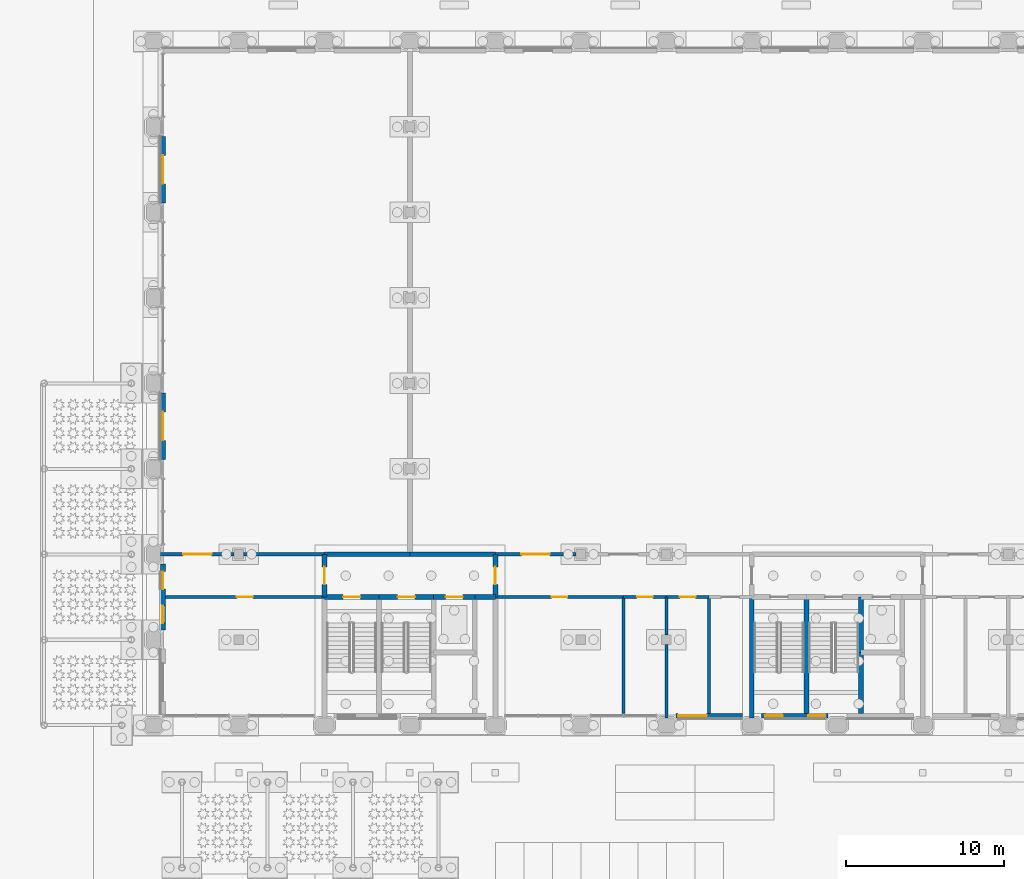
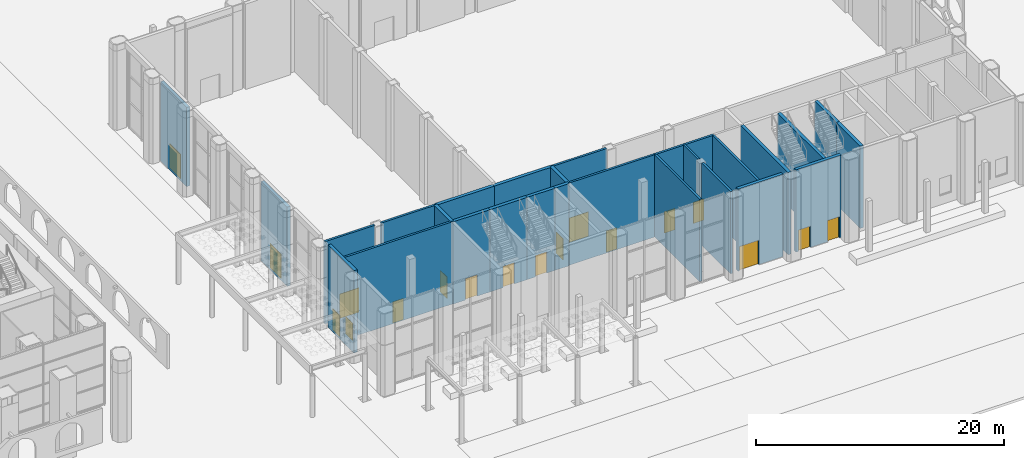
# One storey, part 33 of 54: 28 walls, 17 doors, 1 window, 18 openings.
"""IFC4 building model written with IfcOpenShell, lengths in metres."""

from ifc_helpers import new_model, si_unit, direction, frame, frame_2d, origin, place, context, subcontext, project, spatial, rectangle, extrude, material, layer, layer_set, type_object, element, fill, save


model = new_model("IFC4")

# Units and contexts
model_context = context("Model", 3, precision=1e-05, world=origin(), true_north=direction((0.0, 1.0)))
body_context = subcontext(model_context, "Body", "Model", "MODEL_VIEW")
ifc_project = project(units=[si_unit("LENGTHUNIT", "METRE"), si_unit("AREAUNIT", "SQUARE_METRE"), si_unit("VOLUMEUNIT", "CUBIC_METRE"), si_unit("PLANEANGLEUNIT", "RADIAN"), si_unit("MASSUNIT", "GRAM", prefix="KILO")], contexts=[model_context])

# Site, building, storey
site_placement = place(None, origin())
site = spatial("IfcSite", under=ifc_project, at=site_placement, CompositionType="ELEMENT")
building_placement = place(site_placement, origin())
building = spatial("IfcBuilding", under=site, at=building_placement, Name="Tabaq Tower and Sports Hall", CompositionType="ELEMENT")
storey_placement = place(building_placement, origin())
storey = spatial("IfcBuildingStorey", under=building, at=storey_placement, Name="L00", CompositionType="ELEMENT", Elevation=0.0)

# Wall, opening, door
ifc_material_1 = material(Name="Concrete C50/60", Category="concrete")
ifc_layer_1 = layer(ifc_material_1, 0.300048828125)
ifc_layer_set_1 = layer_set([ifc_layer_1], Name="HALL CORE WALL RC 300 C50/60")
wall_type_1 = type_object("IfcWallType", Name="HALL CORE WALL RC 300 C50/60", PredefinedType="SHEAR", material=ifc_layer_set_1)
wall_1_placement = place(storey_placement, frame((75.60009765625, 8.10009765625, 0.0), z_axis=(0.0, 0.0, 1.0), x_axis=(0.0, 1.0, 0.0)))
wall_1 = element("IfcWall", 1, at=wall_1_placement, inside=storey, type_object=wall_type_1, Name="L00 core wall 005", PredefinedType="SHEAR", context=body_context, shape_type="SweptSolid", body=[
    extrude(rectangle(XDim=2.699951171875, YDim=0.300048828125, at=frame_2d((1.35009765625, 0.0))), origin(), (0.0, 0.0, 1.0), 8.10009765625),
])
opening_1_placement = place(wall_1_placement, frame((0.800048828125, 0.0, 0.0)))
opening_1 = element("IfcOpeningElement", 2, at=opening_1_placement, cuts=wall_1, Name="Opening HD018", PredefinedType="OPENING", context=body_context, shape_type="SweptSolid", body=[
    extrude(rectangle(XDim=1.10009765625, YDim=2.10009765625, at=frame_2d((0.550048828125, 1.050048828125))), frame((0.0, 0.14990234375, 0.0), z_axis=(0.0, -1.0, 0.0), x_axis=(1.0, 0.0, 0.0)), (0.0, 0.0, 1.0), 0.300048828125),
])
ifc_material_2 = material(Name="Steel fire door leaf in steel frame", Category="steel")
door_type_1 = type_object("IfcDoorType", Name="HALL FIRE DOOR 1100x2100", OperationType="SINGLE_SWING_LEFT", PredefinedType="DOOR", material=ifc_material_2)
door_1_placement = place(opening_1_placement, origin())
door_1 = element("IfcDoor", 3, at=door_1_placement, inside=storey, type_object=door_type_1, Name="Door HD018", OperationType="SINGLE_SWING_LEFT", OverallHeight=2.10009765625, OverallWidth=1.10009765625, PredefinedType="DOOR", context=body_context, shape_type="SweptSolid", body=[
    extrude(rectangle(XDim=1.10009765625, YDim=2.10009765625, at=frame_2d((0.550048828125, 1.050048828125))), frame((0.0, 0.02490234375, 0.0), z_axis=(0.0, -1.0, 0.0), x_axis=(1.0, 0.0, 0.0)), (0.0, 0.0, 1.0), 0.050048828125),
])
fill(opening_1, door_1)

# Wall
wall_2_placement = place(storey_placement, frame((102.60009765625, 0.449951171875, 0.0), z_axis=(0.0, 0.0, 1.0), x_axis=(0.0, 1.0, 0.0)))
element("IfcWall", 4, at=wall_2_placement, inside=storey, type_object=wall_type_1, Name="L00 core wall 015", PredefinedType="SHEAR", context=body_context, shape_type="SweptSolid", body=[
    extrude(rectangle(XDim=7.650146484375, YDim=0.300048828125, at=frame_2d((3.8251953125, 0.0))), origin(), (0.0, 0.0, 1.0), 8.10009765625),
])

# Wall, opening, door
wall_3_placement = place(storey_placement, frame((86.39990234375, 8.10009765625, 0.0), z_axis=(0.0, 0.0, 1.0), x_axis=(0.0, 1.0, 0.0)))
wall_3 = element("IfcWall", 5, at=wall_3_placement, inside=storey, type_object=wall_type_1, Name="L00 core wall 019", PredefinedType="SHEAR", context=body_context, shape_type="SweptSolid", body=[
    extrude(rectangle(XDim=2.699951171875, YDim=0.300048828125, at=frame_2d((1.35009765625, 0.0))), origin(), (0.0, 0.0, 1.0), 8.10009765625),
])
opening_2_placement = place(wall_3_placement, frame((0.800048828125, 0.0, 0.0)))
opening_2 = element("IfcOpeningElement", 6, at=opening_2_placement, cuts=wall_3, Name="Opening HD024", PredefinedType="OPENING", context=body_context, shape_type="SweptSolid", body=[
    extrude(rectangle(XDim=1.10009765625, YDim=2.10009765625, at=frame_2d((0.550048828125, 1.050048828125))), frame((0.0, 0.14990234375, 0.0), z_axis=(0.0, -1.0, 0.0), x_axis=(1.0, 0.0, 0.0)), (0.0, 0.0, 1.0), 0.300048828125),
])
door_2_placement = place(opening_2_placement, origin())
door_2 = element("IfcDoor", 7, at=door_2_placement, inside=storey, type_object=door_type_1, Name="Door HD024", OperationType="SINGLE_SWING_LEFT", OverallHeight=2.10009765625, OverallWidth=1.10009765625, PredefinedType="DOOR", context=body_context, shape_type="SweptSolid", body=[
    extrude(rectangle(XDim=1.10009765625, YDim=2.10009765625, at=frame_2d((0.550048828125, 1.050048828125))), frame((0.0, 0.02490234375, 0.0), z_axis=(0.0, -1.0, 0.0), x_axis=(1.0, 0.0, 0.0)), (0.0, 0.0, 1.0), 0.050048828125),
])
fill(opening_2, door_2)

# Walls
for number, where, z_axis, x_axis, name in (
    (8, (81.0, 10.800048828125, 0.0), (0.0, 0.0, 1.0), (1.0, 0.0, 0.0), "L00 core wall 034"),
    (9, (75.60009765625, 10.800048828125, 0.0), (0.0, 0.0, 1.0), (1.0, 0.0, 0.0), "L00 core wall 036"),
):
    element("IfcWall", number, at=place(storey_placement, frame(where, z_axis=z_axis, x_axis=x_axis)), inside=storey, type_object=wall_type_1, Name=name, PredefinedType="SHEAR", context=body_context, shape_type="SweptSolid", body=[
        extrude(rectangle(XDim=5.39990234375, YDim=0.300048828125, at=frame_2d((2.699951171875, 0.0))), origin(), (0.0, 0.0, 1.0), 8.10009765625),
    ])

# Wall, opening, door
wall_4_placement = place(storey_placement, frame((75.60009765625, 8.10009765625, 0.0), z_axis=(0.0, 0.0, 1.0), x_axis=(1.0, 0.0, 0.0)))
wall_4 = element("IfcWall", 10, at=wall_4_placement, inside=storey, type_object=wall_type_1, Name="L00 core wall 038", PredefinedType="SHEAR", context=body_context, shape_type="SweptSolid", body=[
    extrude(rectangle(XDim=3.449951171875, YDim=0.300048828125, at=frame_2d((1.72509765625, 0.0))), origin(), (0.0, 0.0, 1.0), 8.10009765625),
])
opening_3_placement = place(wall_4_placement, frame((1.175048828125, 0.0, 0.0)))
opening_3 = element("IfcOpeningElement", 11, at=opening_3_placement, cuts=wall_4, Name="Opening HD034", PredefinedType="OPENING", context=body_context, shape_type="SweptSolid", body=[
    extrude(rectangle(XDim=1.10009765625, YDim=2.10009765625, at=frame_2d((0.550048828125, 1.050048828125))), frame((0.0, 0.14990234375, 0.0), z_axis=(0.0, -1.0, 0.0), x_axis=(1.0, 0.0, 0.0)), (0.0, 0.0, 1.0), 0.300048828125),
])
door_3_placement = place(opening_3_placement, origin())
door_3 = element("IfcDoor", 12, at=door_3_placement, inside=storey, type_object=door_type_1, Name="Door HD034", OperationType="SINGLE_SWING_LEFT", OverallHeight=2.10009765625, OverallWidth=1.10009765625, PredefinedType="DOOR", context=body_context, shape_type="SweptSolid", body=[
    extrude(rectangle(XDim=1.10009765625, YDim=2.10009765625, at=frame_2d((0.550048828125, 1.050048828125))), frame((0.0, 0.02490234375, 0.0), z_axis=(0.0, -1.0, 0.0), x_axis=(1.0, 0.0, 0.0)), (0.0, 0.0, 1.0), 0.050048828125),
])
fill(opening_3, door_3)

wall_5_placement = place(storey_placement, frame((79.050048828125, 8.10009765625, 0.0), z_axis=(0.0, 0.0, 1.0), x_axis=(1.0, 0.0, 0.0)))
wall_5 = element("IfcWall", 13, at=wall_5_placement, inside=storey, type_object=wall_type_1, Name="L00 core wall 041", PredefinedType="SHEAR", context=body_context, shape_type="SweptSolid", body=[
    extrude(rectangle(XDim=3.449951171875, YDim=0.300048828125, at=frame_2d((1.72509765625, 0.0))), origin(), (0.0, 0.0, 1.0), 8.10009765625),
])
opening_4_placement = place(wall_5_placement, frame((1.175048828125, 0.0, 0.0)))
opening_4 = element("IfcOpeningElement", 14, at=opening_4_placement, cuts=wall_5, Name="Opening HD035", PredefinedType="OPENING", context=body_context, shape_type="SweptSolid", body=[
    extrude(rectangle(XDim=1.10009765625, YDim=2.10009765625, at=frame_2d((0.550048828125, 1.050048828125))), frame((0.0, 0.14990234375, 0.0), z_axis=(0.0, -1.0, 0.0), x_axis=(1.0, 0.0, 0.0)), (0.0, 0.0, 1.0), 0.300048828125),
])
door_4_placement = place(opening_4_placement, origin())
door_4 = element("IfcDoor", 15, at=door_4_placement, inside=storey, type_object=door_type_1, Name="Door HD035", OperationType="SINGLE_SWING_LEFT", OverallHeight=2.10009765625, OverallWidth=1.10009765625, PredefinedType="DOOR", context=body_context, shape_type="SweptSolid", body=[
    extrude(rectangle(XDim=1.10009765625, YDim=2.10009765625, at=frame_2d((0.550048828125, 1.050048828125))), frame((0.0, 0.02490234375, 0.0), z_axis=(0.0, -1.0, 0.0), x_axis=(1.0, 0.0, 0.0)), (0.0, 0.0, 1.0), 0.050048828125),
])
fill(opening_4, door_4)

wall_6_placement = place(storey_placement, frame((82.5, 8.10009765625, 0.0), z_axis=(0.0, 0.0, 1.0), x_axis=(1.0, 0.0, 0.0)))
wall_6 = element("IfcWall", 16, at=wall_6_placement, inside=storey, type_object=wall_type_1, Name="L00 core wall 044", PredefinedType="SHEAR", context=body_context, shape_type="SweptSolid", body=[
    extrude(rectangle(XDim=2.60009765625, YDim=0.300048828125, at=frame_2d((1.300048828125, 0.0))), origin(), (0.0, 0.0, 1.0), 8.10009765625),
])
opening_5_placement = place(wall_6_placement, frame((0.75, 0.0, 0.0)))
opening_5 = element("IfcOpeningElement", 17, at=opening_5_placement, cuts=wall_6, Name="Opening LDA-L00", PredefinedType="OPENING", context=body_context, shape_type="SweptSolid", body=[
    extrude(rectangle(XDim=1.10009765625, YDim=2.10009765625, at=frame_2d((0.550048828125, 1.050048828125))), frame((0.0, 0.14990234375, 0.0), z_axis=(0.0, -1.0, 0.0), x_axis=(1.0, 0.0, 0.0)), (0.0, 0.0, 1.0), 0.300048828125),
])
ifc_material_3 = material(Name="Stainless steel landing door panels", Category="steel")
door_type_2 = type_object("IfcDoorType", Name="HALL LIFT LANDING DOOR 1100x2100", OperationType="SLIDING_TO_LEFT", PredefinedType="DOOR", material=ifc_material_3)
door_5_placement = place(opening_5_placement, origin())
door_5 = element("IfcDoor", 18, at=door_5_placement, inside=storey, type_object=door_type_2, Name="Door LDA-L00", OperationType="SLIDING_TO_LEFT", OverallHeight=2.10009765625, OverallWidth=1.10009765625, PredefinedType="DOOR", context=body_context, shape_type="SweptSolid", body=[
    extrude(rectangle(XDim=1.10009765625, YDim=2.10009765625, at=frame_2d((0.550048828125, 1.050048828125))), frame((0.0, 0.02490234375, 0.0), z_axis=(0.0, -1.0, 0.0), x_axis=(1.0, 0.0, 0.0)), (0.0, 0.0, 1.0), 0.050048828125),
])
fill(opening_5, door_5)

# Walls
wall_7_placement = place(storey_placement, frame((85.10009765625, 8.10009765625, 0.0), z_axis=(0.0, 0.0, 1.0), x_axis=(1.0, 0.0, 0.0)))
element("IfcWall", 19, at=wall_7_placement, inside=storey, type_object=wall_type_1, Name="L00 core wall 046", PredefinedType="SHEAR", context=body_context, shape_type="SweptSolid", body=[
    extrude(rectangle(XDim=1.2998046875, YDim=0.300048828125, at=frame_2d((0.64990234375, 0.0))), origin(), (0.0, 0.0, 1.0), 8.10009765625),
])
wall_8_placement = place(storey_placement, frame((106.050048828125, 0.75, 0.0), z_axis=(0.0, 0.0, 1.0), x_axis=(0.0, 1.0, 0.0)))
element("IfcWall", 20, at=wall_8_placement, inside=storey, type_object=wall_type_1, Name="L00 core wall 047", PredefinedType="SHEAR", context=body_context, shape_type="SweptSolid", body=[
    extrude(rectangle(XDim=7.35009765625, YDim=0.300048828125, at=frame_2d((3.675048828125, 0.0))), origin(), (0.0, 0.0, 1.0), 8.10009765625),
])
wall_9_placement = place(storey_placement, frame((109.5, 4.60009765625, 0.0), z_axis=(0.0, 0.0, 1.0), x_axis=(0.0, 1.0, 0.0)))
element("IfcWall", 21, at=wall_9_placement, inside=storey, type_object=wall_type_1, Name="L00 core wall 049", PredefinedType="SHEAR", context=body_context, shape_type="SweptSolid", body=[
    extrude(rectangle(XDim=3.5, YDim=0.300048828125, at=frame_2d((1.75, 0.0))), origin(), (0.0, 0.0, 1.0), 8.10009765625),
])
wall_10_placement = place(storey_placement, frame((109.5, 0.75, 0.0), z_axis=(0.0, 0.0, 1.0), x_axis=(0.0, 1.0, 0.0)))
element("IfcWall", 22, at=wall_10_placement, inside=storey, type_object=wall_type_1, Name="L00 core wall 050", PredefinedType="SHEAR", context=body_context, shape_type="SweptSolid", body=[
    extrude(rectangle(XDim=3.85009765625, YDim=0.300048828125, at=frame_2d((1.925048828125, 0.0))), origin(), (0.0, 0.0, 1.0), 8.10009765625),
])

# Wall, opening, door
ifc_material_4 = material(Name="Blockwork partition with plaster both faces", Category="masonry")
ifc_layer_2 = layer(ifc_material_4, 0.199951171875)
ifc_layer_set_2 = layer_set([ifc_layer_2], Name="HALL PARTITION 200")
wall_type_2 = type_object("IfcWallType", Name="HALL PARTITION 200", PredefinedType="PARTITIONING", material=ifc_layer_set_2)
wall_11_placement = place(storey_placement, frame((65.550048828125, 8.10009765625, 0.0), z_axis=(0.0, 0.0, 1.0), x_axis=(1.0, 0.0, 0.0)))
wall_11 = element("IfcWall", 23, at=wall_11_placement, inside=storey, type_object=wall_type_2, Name="L00 partition 001", PredefinedType="PARTITIONING", context=body_context, shape_type="SweptSolid", body=[
    extrude(rectangle(XDim=10.050048828125, YDim=0.199951171875, at=frame_2d((5.02490234375, 0.0))), origin(), (0.0, 0.0, 1.0), 8.10009765625),
])
opening_6_placement = place(wall_11_placement, frame((4.52490234375, 0.0, 0.0)))
opening_6 = element("IfcOpeningElement", 24, at=opening_6_placement, cuts=wall_11, Name="Opening HD017", PredefinedType="OPENING", context=body_context, shape_type="SweptSolid", body=[
    extrude(rectangle(XDim=1.0, YDim=2.10009765625, at=frame_2d((0.5, 1.050048828125))), frame((0.0, 0.10009765625, 0.0), z_axis=(0.0, -1.0, 0.0), x_axis=(1.0, 0.0, 0.0)), (0.0, 0.0, 1.0), 0.199951171875),
])
ifc_material_5 = material(Name="Timber veneer door leaf in steel frame", Category="steel")
door_type_3 = type_object("IfcDoorType", Name="HALL DOOR SINGLE 1000x2100", OperationType="SINGLE_SWING_LEFT", PredefinedType="DOOR", material=ifc_material_5)
door_6_placement = place(opening_6_placement, origin())
door_6 = element("IfcDoor", 25, at=door_6_placement, inside=storey, type_object=door_type_3, Name="Door HD017", OperationType="SINGLE_SWING_LEFT", OverallHeight=2.10009765625, OverallWidth=1.0, PredefinedType="DOOR", context=body_context, shape_type="SweptSolid", body=[
    extrude(rectangle(XDim=1.0, YDim=2.10009765625, at=frame_2d((0.5, 1.050048828125))), frame((0.0, 0.02490234375, 0.0), z_axis=(0.0, -1.0, 0.0), x_axis=(1.0, 0.0, 0.0)), (0.0, 0.0, 1.0), 0.050048828125),
])
fill(opening_6, door_6)

wall_12_placement = place(storey_placement, frame((65.25, 10.800048828125, 0.0), z_axis=(0.0, 0.0, 1.0), x_axis=(1.0, 0.0, 0.0)))
wall_12 = element("IfcWall", 26, at=wall_12_placement, inside=storey, type_object=wall_type_2, Name="L00 partition 003", PredefinedType="PARTITIONING", context=body_context, shape_type="SweptSolid", body=[
    extrude(rectangle(XDim=4.64990234375, YDim=0.199951171875, at=frame_2d((2.324951171875, 0.0))), origin(), (0.0, 0.0, 1.0), 8.10009765625),
])
opening_7_placement = place(wall_12_placement, frame((1.425048828125, 0.0, 0.0)))
opening_7 = element("IfcOpeningElement", 27, at=opening_7_placement, cuts=wall_12, Name="Opening HD019", PredefinedType="OPENING", context=body_context, shape_type="SweptSolid", body=[
    extrude(rectangle(XDim=1.800048828125, YDim=2.39990234375, at=frame_2d((0.89990234375, 1.199951171875))), frame((0.0, 0.10009765625, 0.0), z_axis=(0.0, -1.0, 0.0), x_axis=(1.0, 0.0, 0.0)), (0.0, 0.0, 1.0), 0.199951171875),
])
ifc_material_6 = material(Name="Aluminium framed glazed door leaves", Category="aluminium")
door_type_4 = type_object("IfcDoorType", Name="HALL DOOR DOUBLE 1800x2400", OperationType="DOUBLE_DOOR_SINGLE_SWING", PredefinedType="DOOR", material=ifc_material_6)
door_7_placement = place(opening_7_placement, origin())
door_7 = element("IfcDoor", 28, at=door_7_placement, inside=storey, type_object=door_type_4, Name="Door HD019", OperationType="DOUBLE_DOOR_SINGLE_SWING", OverallHeight=2.39990234375, OverallWidth=1.800048828125, PredefinedType="DOOR", context=body_context, shape_type="SweptSolid", body=[
    extrude(rectangle(XDim=1.800048828125, YDim=2.39990234375, at=frame_2d((0.89990234375, 1.199951171875))), frame((0.0, 0.02490234375, 0.0), z_axis=(0.0, -1.0, 0.0), x_axis=(1.0, 0.0, 0.0)), (0.0, 0.0, 1.0), 0.050048828125),
])
fill(opening_7, door_7)

# Walls
wall_13_placement = place(storey_placement, frame((70.5, 10.800048828125, 0.0), z_axis=(0.0, 0.0, 1.0), x_axis=(1.0, 0.0, 0.0)))
element("IfcWall", 29, at=wall_13_placement, inside=storey, type_object=wall_type_2, Name="L00 partition 004", PredefinedType="PARTITIONING", context=body_context, shape_type="SweptSolid", body=[
    extrude(rectangle(XDim=5.10009765625, YDim=0.199951171875, at=frame_2d((2.550048828125, 0.0))), origin(), (0.0, 0.0, 1.0), 8.10009765625),
])
wall_14_placement = place(storey_placement, frame((94.5, 0.75, 0.0), z_axis=(0.0, 0.0, 1.0), x_axis=(0.0, 1.0, 0.0)))
element("IfcWall", 30, at=wall_14_placement, inside=storey, type_object=wall_type_2, Name="L00 partition 006", PredefinedType="PARTITIONING", context=body_context, shape_type="SweptSolid", body=[
    extrude(rectangle(XDim=7.35009765625, YDim=0.199951171875, at=frame_2d((3.675048828125, 0.0))), origin(), (0.0, 0.0, 1.0), 8.10009765625),
])

# Wall, opening, door
wall_15_placement = place(storey_placement, frame((86.39990234375, 8.10009765625, 0.0), z_axis=(0.0, 0.0, 1.0), x_axis=(1.0, 0.0, 0.0)))
wall_15 = element("IfcWall", 31, at=wall_15_placement, inside=storey, type_object=wall_type_2, Name="L00 partition 007", PredefinedType="PARTITIONING", context=body_context, shape_type="SweptSolid", body=[
    extrude(rectangle(XDim=8.10009765625, YDim=0.199951171875, at=frame_2d((4.050048828125, 0.0))), origin(), (0.0, 0.0, 1.0), 8.10009765625),
])
opening_8_placement = place(wall_15_placement, frame((3.550048828125, 0.0, 0.0)))
opening_8 = element("IfcOpeningElement", 32, at=opening_8_placement, cuts=wall_15, Name="Opening HD020", PredefinedType="OPENING", context=body_context, shape_type="SweptSolid", body=[
    extrude(rectangle(XDim=1.0, YDim=2.10009765625, at=frame_2d((0.5, 1.050048828125))), frame((0.0, 0.10009765625, 0.0), z_axis=(0.0, -1.0, 0.0), x_axis=(1.0, 0.0, 0.0)), (0.0, 0.0, 1.0), 0.199951171875),
])
door_8_placement = place(opening_8_placement, origin())
door_8 = element("IfcDoor", 33, at=door_8_placement, inside=storey, type_object=door_type_3, Name="Door HD020", OperationType="SINGLE_SWING_LEFT", OverallHeight=2.10009765625, OverallWidth=1.0, PredefinedType="DOOR", context=body_context, shape_type="SweptSolid", body=[
    extrude(rectangle(XDim=1.0, YDim=2.10009765625, at=frame_2d((0.5, 1.050048828125))), frame((0.0, 0.02490234375, 0.0), z_axis=(0.0, -1.0, 0.0), x_axis=(1.0, 0.0, 0.0)), (0.0, 0.0, 1.0), 0.050048828125),
])
fill(opening_8, door_8)

# Walls
wall_16_placement = place(storey_placement, frame((97.199951171875, 0.449951171875, 0.0), z_axis=(0.0, 0.0, 1.0), x_axis=(0.0, 1.0, 0.0)))
element("IfcWall", 34, at=wall_16_placement, inside=storey, type_object=wall_type_2, Name="L00 partition 009", PredefinedType="PARTITIONING", context=body_context, shape_type="SweptSolid", body=[
    extrude(rectangle(XDim=4.650146484375, YDim=0.199951171875, at=frame_2d((2.3251953125, 0.0))), origin(), (0.0, 0.0, 1.0), 8.10009765625),
])
wall_17_placement = place(storey_placement, frame((97.199951171875, 5.699951171875, 0.0), z_axis=(0.0, 0.0, 1.0), x_axis=(0.0, 1.0, 0.0)))
element("IfcWall", 35, at=wall_17_placement, inside=storey, type_object=wall_type_2, Name="L00 partition 010", PredefinedType="PARTITIONING", context=body_context, shape_type="SweptSolid", body=[
    extrude(rectangle(XDim=2.400146484375, YDim=0.199951171875, at=frame_2d((1.2001953125, 0.0))), origin(), (0.0, 0.0, 1.0), 8.10009765625),
])

# Wall, opening, door
wall_18_placement = place(storey_placement, frame((94.5, 8.10009765625, 0.0), z_axis=(0.0, 0.0, 1.0), x_axis=(1.0, 0.0, 0.0)))
wall_18 = element("IfcWall", 36, at=wall_18_placement, inside=storey, type_object=wall_type_2, Name="L00 partition 011", PredefinedType="PARTITIONING", context=body_context, shape_type="SweptSolid", body=[
    extrude(rectangle(XDim=2.699951171875, YDim=0.199951171875, at=frame_2d((1.35009765625, 0.0))), origin(), (0.0, 0.0, 1.0), 8.10009765625),
])
opening_9_placement = place(wall_18_placement, frame((0.85009765625, 0.0, 0.0)))
opening_9 = element("IfcOpeningElement", 37, at=opening_9_placement, cuts=wall_18, Name="Opening HD021", PredefinedType="OPENING", context=body_context, shape_type="SweptSolid", body=[
    extrude(rectangle(XDim=1.0, YDim=2.10009765625, at=frame_2d((0.5, 1.050048828125))), frame((0.0, 0.10009765625, 0.0), z_axis=(0.0, -1.0, 0.0), x_axis=(1.0, 0.0, 0.0)), (0.0, 0.0, 1.0), 0.199951171875),
])
door_9_placement = place(opening_9_placement, origin())
door_9 = element("IfcDoor", 38, at=door_9_placement, inside=storey, type_object=door_type_3, Name="Door HD021", OperationType="SINGLE_SWING_LEFT", OverallHeight=2.10009765625, OverallWidth=1.0, PredefinedType="DOOR", context=body_context, shape_type="SweptSolid", body=[
    extrude(rectangle(XDim=1.0, YDim=2.10009765625, at=frame_2d((0.5, 1.050048828125))), frame((0.0, 0.02490234375, 0.0), z_axis=(0.0, -1.0, 0.0), x_axis=(1.0, 0.0, 0.0)), (0.0, 0.0, 1.0), 0.050048828125),
])
fill(opening_9, door_9)

# Wall
wall_19_placement = place(storey_placement, frame((99.89990234375, 0.75, 0.0), z_axis=(0.0, 0.0, 1.0), x_axis=(0.0, 1.0, 0.0)))
element("IfcWall", 39, at=wall_19_placement, inside=storey, type_object=wall_type_2, Name="L00 partition 012", PredefinedType="PARTITIONING", context=body_context, shape_type="SweptSolid", body=[
    extrude(rectangle(XDim=7.35009765625, YDim=0.199951171875, at=frame_2d((3.675048828125, 0.0))), origin(), (0.0, 0.0, 1.0), 8.10009765625),
])

# Wall, opening, door
wall_20_placement = place(storey_placement, frame((97.199951171875, 8.10009765625, 0.0), z_axis=(0.0, 0.0, 1.0), x_axis=(1.0, 0.0, 0.0)))
wall_20 = element("IfcWall", 40, at=wall_20_placement, inside=storey, type_object=wall_type_2, Name="L00 partition 013", PredefinedType="PARTITIONING", context=body_context, shape_type="SweptSolid", body=[
    extrude(rectangle(XDim=2.699951171875, YDim=0.199951171875, at=frame_2d((1.35009765625, 0.0))), origin(), (0.0, 0.0, 1.0), 8.10009765625),
])
opening_10_placement = place(wall_20_placement, frame((0.85009765625, 0.0, 0.0)))
opening_10 = element("IfcOpeningElement", 41, at=opening_10_placement, cuts=wall_20, Name="Opening HD022", PredefinedType="OPENING", context=body_context, shape_type="SweptSolid", body=[
    extrude(rectangle(XDim=1.0, YDim=2.10009765625, at=frame_2d((0.5, 1.050048828125))), frame((0.0, 0.10009765625, 0.0), z_axis=(0.0, -1.0, 0.0), x_axis=(1.0, 0.0, 0.0)), (0.0, 0.0, 1.0), 0.199951171875),
])
door_10_placement = place(opening_10_placement, origin())
door_10 = element("IfcDoor", 42, at=door_10_placement, inside=storey, type_object=door_type_3, Name="Door HD022", OperationType="SINGLE_SWING_LEFT", OverallHeight=2.10009765625, OverallWidth=1.0, PredefinedType="DOOR", context=body_context, shape_type="SweptSolid", body=[
    extrude(rectangle(XDim=1.0, YDim=2.10009765625, at=frame_2d((0.5, 1.050048828125))), frame((0.0, 0.02490234375, 0.0), z_axis=(0.0, -1.0, 0.0), x_axis=(1.0, 0.0, 0.0)), (0.0, 0.0, 1.0), 0.050048828125),
])
fill(opening_10, door_10)

wall_21_placement = place(storey_placement, frame((86.39990234375, 10.800048828125, 0.0), z_axis=(0.0, 0.0, 1.0), x_axis=(1.0, 0.0, 0.0)))
wall_21 = element("IfcWall", 43, at=wall_21_placement, inside=storey, type_object=wall_type_2, Name="L00 partition 016", PredefinedType="PARTITIONING", context=body_context, shape_type="SweptSolid", body=[
    extrude(rectangle(XDim=5.10009765625, YDim=0.199951171875, at=frame_2d((2.550048828125, 0.0))), origin(), (0.0, 0.0, 1.0), 8.10009765625),
])
opening_11_placement = place(wall_21_placement, frame((1.64990234375, 0.0, 0.0)))
opening_11 = element("IfcOpeningElement", 44, at=opening_11_placement, cuts=wall_21, Name="Opening HD026", PredefinedType="OPENING", context=body_context, shape_type="SweptSolid", body=[
    extrude(rectangle(XDim=1.800048828125, YDim=2.39990234375, at=frame_2d((0.89990234375, 1.199951171875))), frame((0.0, 0.10009765625, 0.0), z_axis=(0.0, -1.0, 0.0), x_axis=(1.0, 0.0, 0.0)), (0.0, 0.0, 1.0), 0.199951171875),
])
door_11_placement = place(opening_11_placement, origin())
door_11 = element("IfcDoor", 45, at=door_11_placement, inside=storey, type_object=door_type_4, Name="Door HD026", OperationType="DOUBLE_DOOR_SINGLE_SWING", OverallHeight=2.39990234375, OverallWidth=1.800048828125, PredefinedType="DOOR", context=body_context, shape_type="SweptSolid", body=[
    extrude(rectangle(XDim=1.800048828125, YDim=2.39990234375, at=frame_2d((0.89990234375, 1.199951171875))), frame((0.0, 0.02490234375, 0.0), z_axis=(0.0, -1.0, 0.0), x_axis=(1.0, 0.0, 0.0)), (0.0, 0.0, 1.0), 0.050048828125),
])
fill(opening_11, door_11)

ifc_material_7 = material(Name="White precast concrete C60/75", Category="concrete")
ifc_layer_3 = layer(ifc_material_7, 0.300048828125)
ifc_layer_set_3 = layer_set([ifc_layer_3], Name="White precast concrete C60/75 external wall 300")
wall_type_3 = type_object("IfcWallType", Name="White precast concrete C60/75 external wall 300", PredefinedType="SOLIDWALL", material=ifc_layer_set_3)
wall_22_placement = place(storey_placement, frame((97.800048828125, 0.60009765625, 0.0), z_axis=(0.0, 0.0, 1.0), x_axis=(1.0, 0.0, 0.0)))
wall_22 = element("IfcWall", 46, at=wall_22_placement, inside=storey, type_object=wall_type_3, Name="L00 S facade panel", PredefinedType="SOLIDWALL", context=body_context, shape_type="SweptSolid", body=[
    extrude(rectangle(XDim=4.199951171875, YDim=0.300048828125, at=frame_2d((2.10009765625, 0.0))), origin(), (0.0, 0.0, 1.0), 8.10009765625),
])
opening_12_placement = place(wall_22_placement, frame((0.14990234375, 0.0, 0.0)))
opening_12 = element("IfcOpeningElement", 47, at=opening_12_placement, cuts=wall_22, Name="Opening HD003", PredefinedType="OPENING", context=body_context, shape_type="SweptSolid", body=[
    extrude(rectangle(XDim=1.800048828125, YDim=2.39990234375, at=frame_2d((0.89990234375, 1.199951171875))), frame((0.0, 0.14990234375, 0.0), z_axis=(0.0, -1.0, 0.0), x_axis=(1.0, 0.0, 0.0)), (0.0, 0.0, 1.0), 0.300048828125),
])
ifc_material_8 = material(Name="Steel exit door leaves in steel frame", Category="steel")
door_type_5 = type_object("IfcDoorType", Name="HALL EXIT DOOR DOUBLE 1800x2400", OperationType="DOUBLE_DOOR_SINGLE_SWING", PredefinedType="DOOR", material=ifc_material_8)
door_12_placement = place(opening_12_placement, origin())
door_12 = element("IfcDoor", 48, at=door_12_placement, inside=storey, type_object=door_type_5, Name="Door HD003", OperationType="DOUBLE_DOOR_SINGLE_SWING", OverallHeight=2.39990234375, OverallWidth=1.800048828125, PredefinedType="DOOR", context=body_context, shape_type="SweptSolid", body=[
    extrude(rectangle(XDim=1.800048828125, YDim=2.39990234375, at=frame_2d((0.89990234375, 1.199951171875))), frame((0.0, 0.02490234375, 0.0), z_axis=(0.0, -1.0, 0.0), x_axis=(1.0, 0.0, 0.0)), (0.0, 0.0, 1.0), 0.050048828125),
])
fill(opening_12, door_12)

# Wall, openings, doors
wall_23_placement = place(storey_placement, frame((103.199951171875, 0.60009765625, 0.0), z_axis=(0.0, 0.0, 1.0), x_axis=(1.0, 0.0, 0.0)))
wall_23 = element("IfcWall", 49, at=wall_23_placement, inside=storey, type_object=wall_type_3, Name="L00 S facade panel", PredefinedType="SOLIDWALL", context=body_context, shape_type="SweptSolid", body=[
    extrude(rectangle(XDim=4.199951171875, YDim=0.300048828125, at=frame_2d((2.10009765625, 0.0))), origin(), (0.0, 0.0, 1.0), 8.10009765625),
])
opening_13_placement = place(wall_23_placement, frame((0.25, 0.0, 0.0)))
opening_13 = element("IfcOpeningElement", 50, at=opening_13_placement, cuts=wall_23, Name="Opening HD004", PredefinedType="OPENING", context=body_context, shape_type="SweptSolid", body=[
    extrude(rectangle(XDim=1.10009765625, YDim=2.10009765625, at=frame_2d((0.550048828125, 1.050048828125))), frame((0.0, 0.14990234375, 0.0), z_axis=(0.0, -1.0, 0.0), x_axis=(1.0, 0.0, 0.0)), (0.0, 0.0, 1.0), 0.300048828125),
])
opening_14_placement = place(wall_23_placement, frame((2.949951171875, 0.0, 0.0)))
opening_14 = element("IfcOpeningElement", 51, at=opening_14_placement, cuts=wall_23, Name="Opening HD005", PredefinedType="OPENING", context=body_context, shape_type="SweptSolid", body=[
    extrude(rectangle(XDim=1.10009765625, YDim=2.10009765625, at=frame_2d((0.550048828125, 1.050048828125))), frame((0.0, 0.14990234375, 0.0), z_axis=(0.0, -1.0, 0.0), x_axis=(1.0, 0.0, 0.0)), (0.0, 0.0, 1.0), 0.300048828125),
])
door_13_placement = place(opening_13_placement, origin())
door_13 = element("IfcDoor", 52, at=door_13_placement, inside=storey, type_object=door_type_1, Name="Door HD004", OperationType="SINGLE_SWING_LEFT", OverallHeight=2.10009765625, OverallWidth=1.10009765625, PredefinedType="DOOR", context=body_context, shape_type="SweptSolid", body=[
    extrude(rectangle(XDim=1.10009765625, YDim=2.10009765625, at=frame_2d((0.550048828125, 1.050048828125))), frame((0.0, 0.02490234375, 0.0), z_axis=(0.0, -1.0, 0.0), x_axis=(1.0, 0.0, 0.0)), (0.0, 0.0, 1.0), 0.050048828125),
])
fill(opening_13, door_13)
door_14_placement = place(opening_14_placement, origin())
door_14 = element("IfcDoor", 53, at=door_14_placement, inside=storey, type_object=door_type_1, Name="Door HD005", OperationType="SINGLE_SWING_LEFT", OverallHeight=2.10009765625, OverallWidth=1.10009765625, PredefinedType="DOOR", context=body_context, shape_type="SweptSolid", body=[
    extrude(rectangle(XDim=1.10009765625, YDim=2.10009765625, at=frame_2d((0.550048828125, 1.050048828125))), frame((0.0, 0.02490234375, 0.0), z_axis=(0.0, -1.0, 0.0), x_axis=(1.0, 0.0, 0.0)), (0.0, 0.0, 1.0), 0.050048828125),
])
fill(opening_14, door_14)

# Wall, openings, door, window
wall_24_placement = place(storey_placement, frame((65.39990234375, 6.0, 0.0), z_axis=(0.0, 0.0, 1.0), x_axis=(0.0, 1.0, 0.0)))
wall_24 = element("IfcWall", 54, at=wall_24_placement, inside=storey, type_object=wall_type_3, Name="L00 W facade panel", PredefinedType="SOLIDWALL", context=body_context, shape_type="SweptSolid", body=[
    extrude(rectangle(XDim=4.199951171875, YDim=0.300048828125, at=frame_2d((2.10009765625, 0.0))), origin(), (0.0, 0.0, 1.0), 8.10009765625),
])
opening_15_placement = place(wall_24_placement, frame((0.449951171875, 0.0, 0.89990234375)))
opening_15 = element("IfcOpeningElement", 55, at=opening_15_placement, cuts=wall_24, Name="Opening HW028", PredefinedType="OPENING", context=body_context, shape_type="SweptSolid", body=[
    extrude(rectangle(XDim=1.10009765625, YDim=1.699951171875, at=frame_2d((0.550048828125, 0.85009765625))), frame((0.0, 0.14990234375, 0.0), z_axis=(0.0, -1.0, 0.0), x_axis=(1.0, 0.0, 0.0)), (0.0, 0.0, 1.0), 0.300048828125),
])
opening_16_placement = place(wall_24_placement, frame((2.60009765625, 0.0, 0.0)))
opening_16 = element("IfcOpeningElement", 56, at=opening_16_placement, cuts=wall_24, Name="Opening HD011", PredefinedType="OPENING", context=body_context, shape_type="SweptSolid", body=[
    extrude(rectangle(XDim=1.10009765625, YDim=2.10009765625, at=frame_2d((0.550048828125, 1.050048828125))), frame((0.0, 0.14990234375, 0.0), z_axis=(0.0, -1.0, 0.0), x_axis=(1.0, 0.0, 0.0)), (0.0, 0.0, 1.0), 0.300048828125),
])
door_15_placement = place(opening_16_placement, origin())
door_15 = element("IfcDoor", 57, at=door_15_placement, inside=storey, type_object=door_type_1, Name="Door HD011", OperationType="SINGLE_SWING_LEFT", OverallHeight=2.10009765625, OverallWidth=1.10009765625, PredefinedType="DOOR", context=body_context, shape_type="SweptSolid", body=[
    extrude(rectangle(XDim=1.10009765625, YDim=2.10009765625, at=frame_2d((0.550048828125, 1.050048828125))), frame((0.0, 0.02490234375, 0.0), z_axis=(0.0, -1.0, 0.0), x_axis=(1.0, 0.0, 0.0)), (0.0, 0.0, 1.0), 0.050048828125),
])
fill(opening_16, door_15)
ifc_material_9 = material(Name="Aluminium framed clear glazing", Category="aluminium")
window_type = type_object("IfcWindowType", Name="Window W1B", PartitioningType="SINGLE_PANEL", PredefinedType="WINDOW", material=ifc_material_9)
window_placement = place(opening_15_placement, origin())
window = element("IfcWindow", 58, at=window_placement, inside=storey, type_object=window_type, Name="Window HW028", OverallHeight=1.699951171875, OverallWidth=1.10009765625, PartitioningType="SINGLE_PANEL", PredefinedType="WINDOW", context=body_context, shape_type="SweptSolid", body=[
    extrude(rectangle(XDim=1.10009765625, YDim=1.699951171875, at=frame_2d((0.550048828125, 0.85009765625))), frame((0.0, 0.030029296875, 0.0), z_axis=(0.0, -1.0, 0.0), x_axis=(1.0, 0.0, 0.0)), (0.0, 0.0, 1.0), 0.06005859375),
])
fill(opening_15, window)

# Wall, opening, door
wall_25_placement = place(storey_placement, frame((65.39990234375, 16.800048828125, 0.0), z_axis=(0.0, 0.0, 1.0), x_axis=(0.0, 1.0, 0.0)))
wall_25 = element("IfcWall", 59, at=wall_25_placement, inside=storey, type_object=wall_type_3, Name="L00 W facade panel", PredefinedType="SOLIDWALL", context=body_context, shape_type="SweptSolid", body=[
    extrude(rectangle(XDim=4.199951171875, YDim=0.300048828125, at=frame_2d((2.10009765625, 0.0))), origin(), (0.0, 0.0, 1.0), 7.800048828125),
])
opening_17_placement = place(wall_25_placement, frame((1.199951171875, 0.0, 0.0)))
opening_17 = element("IfcOpeningElement", 60, at=opening_17_placement, cuts=wall_25, Name="Opening HD012", PredefinedType="OPENING", context=body_context, shape_type="SweptSolid", body=[
    extrude(rectangle(XDim=1.800048828125, YDim=2.39990234375, at=frame_2d((0.89990234375, 1.199951171875))), frame((0.0, 0.14990234375, 0.0), z_axis=(0.0, -1.0, 0.0), x_axis=(1.0, 0.0, 0.0)), (0.0, 0.0, 1.0), 0.300048828125),
])
door_16_placement = place(opening_17_placement, origin())
door_16 = element("IfcDoor", 61, at=door_16_placement, inside=storey, type_object=door_type_5, Name="Door HD012", OperationType="DOUBLE_DOOR_SINGLE_SWING", OverallHeight=2.39990234375, OverallWidth=1.800048828125, PredefinedType="DOOR", context=body_context, shape_type="SweptSolid", body=[
    extrude(rectangle(XDim=1.800048828125, YDim=2.39990234375, at=frame_2d((0.89990234375, 1.199951171875))), frame((0.0, 0.02490234375, 0.0), z_axis=(0.0, -1.0, 0.0), x_axis=(1.0, 0.0, 0.0)), (0.0, 0.0, 1.0), 0.050048828125),
])
fill(opening_17, door_16)

wall_26_placement = place(storey_placement, frame((65.39990234375, 33.0, 0.0), z_axis=(0.0, 0.0, 1.0), x_axis=(0.0, 1.0, 0.0)))
wall_26 = element("IfcWall", 62, at=wall_26_placement, inside=storey, type_object=wall_type_3, Name="L00 W facade panel", PredefinedType="SOLIDWALL", context=body_context, shape_type="SweptSolid", body=[
    extrude(rectangle(XDim=4.199951171875, YDim=0.300048828125, at=frame_2d((2.10009765625, 0.0))), origin(), (0.0, 0.0, 1.0), 7.800048828125),
])
opening_18_placement = place(wall_26_placement, frame((1.199951171875, 0.0, 0.0)))
opening_18 = element("IfcOpeningElement", 63, at=opening_18_placement, cuts=wall_26, Name="Opening HD013", PredefinedType="OPENING", context=body_context, shape_type="SweptSolid", body=[
    extrude(rectangle(XDim=1.800048828125, YDim=2.39990234375, at=frame_2d((0.89990234375, 1.199951171875))), frame((0.0, 0.14990234375, 0.0), z_axis=(0.0, -1.0, 0.0), x_axis=(1.0, 0.0, 0.0)), (0.0, 0.0, 1.0), 0.300048828125),
])
door_17_placement = place(opening_18_placement, origin())
door_17 = element("IfcDoor", 64, at=door_17_placement, inside=storey, type_object=door_type_5, Name="Door HD013", OperationType="DOUBLE_DOOR_SINGLE_SWING", OverallHeight=2.39990234375, OverallWidth=1.800048828125, PredefinedType="DOOR", context=body_context, shape_type="SweptSolid", body=[
    extrude(rectangle(XDim=1.800048828125, YDim=2.39990234375, at=frame_2d((0.89990234375, 1.199951171875))), frame((0.0, 0.02490234375, 0.0), z_axis=(0.0, -1.0, 0.0), x_axis=(1.0, 0.0, 0.0)), (0.0, 0.0, 1.0), 0.050048828125),
])
fill(opening_18, door_17)

save(model, "model.ifc")
